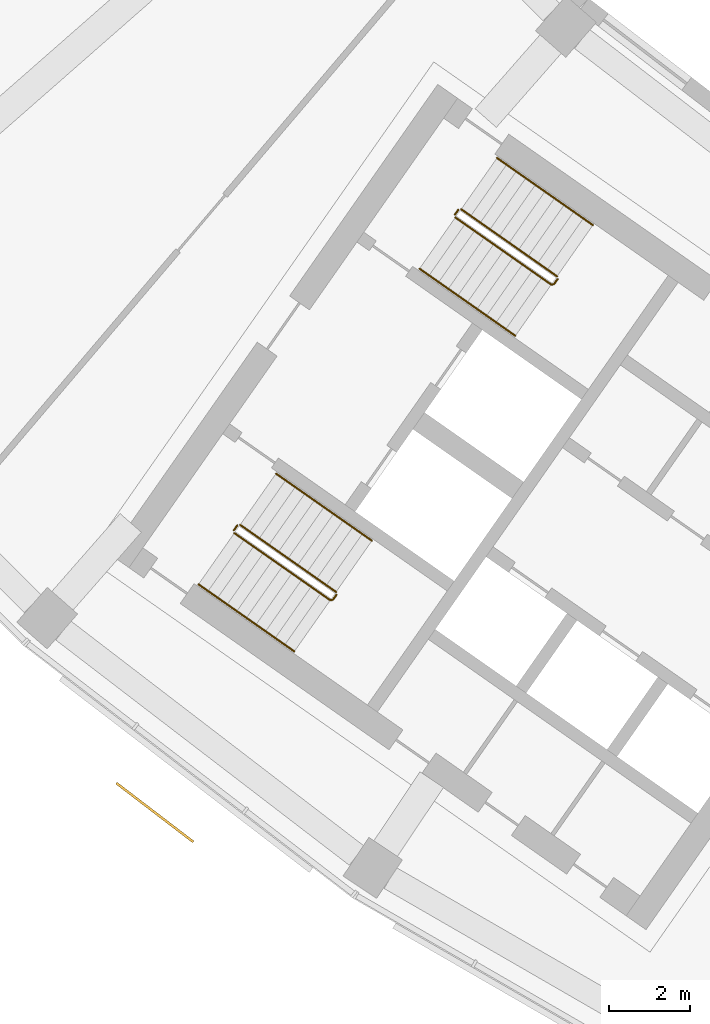
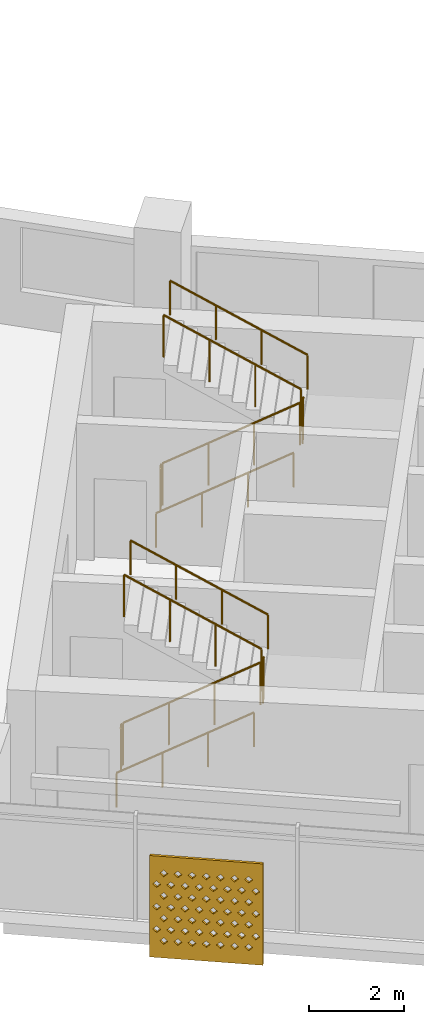
# One storey, part 24 of 29: 10 railings, 1 shading device.
"""IFC4 building model written with IfcOpenShell, lengths in metres."""

from ifc_helpers import new_model, si_unit, direction, frame, origin, origin_2d, place, context, subcontext, project, spatial, polyline, circle, outline, extrude, material, material_profile, profile_set, type_object, element, save


model = new_model("IFC4")

# Units and contexts
model_context = context("Model", 3, precision=1e-05, world=origin(), true_north=direction((0.0, 1.0)))
body_context = subcontext(model_context, "Body", "Model", "MODEL_VIEW")
ifc_project = project(units=[si_unit("LENGTHUNIT", "METRE"), si_unit("AREAUNIT", "SQUARE_METRE"), si_unit("VOLUMEUNIT", "CUBIC_METRE"), si_unit("PLANEANGLEUNIT", "RADIAN"), si_unit("MASSUNIT", "GRAM", prefix="KILO")], contexts=[model_context])

# Site, building, storey
site_placement = place(None, origin())
site = spatial("IfcSite", under=ifc_project, at=site_placement, CompositionType="ELEMENT")
building_placement = place(site_placement, origin())
building = spatial("IfcBuilding", under=site, at=building_placement, Name="Qamariyya Broadcast Tower", CompositionType="ELEMENT")
storey_placement = place(building_placement, frame((0.0, 0.0, 207.5)))
storey = spatial("IfcBuildingStorey", under=building, at=storey_placement, Name="L49", CompositionType="ELEMENT", Elevation=207.5)

# Shading device
ifc_material_1 = material(Name="Perforated glazed terracotta", Category="masonry")
ifc_material_profile = material_profile(ifc_material_1, outline(polyline([(-1.199951171875, -1.300048828125), (1.199951171875, -1.300048828125), (1.199951171875, 1.300048828125), (-1.199951171875, 1.300048828125), (-1.199951171875, -1.300048828125)]), holes=[polyline([(-0.81494140625, -0.86669921875), (-0.89990234375, -0.78173828125), (-0.985107421875, -0.86669921875), (-0.89990234375, -0.95166015625), (-0.81494140625, -0.86669921875)]), polyline([(-0.514892578125, -0.86669921875), (-0.60009765625, -0.78173828125), (-0.68505859375, -0.86669921875), (-0.60009765625, -0.95166015625), (-0.514892578125, -0.86669921875)]), polyline([(-0.215087890625, -0.86669921875), (-0.300048828125, -0.78173828125), (-0.385009765625, -0.86669921875), (-0.300048828125, -0.95166015625), (-0.215087890625, -0.86669921875)]), polyline([(0.0849609375, -0.86669921875), (0.0, -0.78173828125), (-0.0849609375, -0.86669921875), (0.0, -0.95166015625), (0.0849609375, -0.86669921875)]), polyline([(0.385009765625, -0.86669921875), (0.300048828125, -0.78173828125), (0.215087890625, -0.86669921875), (0.300048828125, -0.95166015625), (0.385009765625, -0.86669921875)]), polyline([(0.68505859375, -0.86669921875), (0.60009765625, -0.78173828125), (0.514892578125, -0.86669921875), (0.60009765625, -0.95166015625), (0.68505859375, -0.86669921875)]), polyline([(0.985107421875, -0.86669921875), (0.89990234375, -0.78173828125), (0.81494140625, -0.86669921875), (0.89990234375, -0.95166015625), (0.985107421875, -0.86669921875)]), polyline([(-0.965087890625, -0.577880859375), (-1.050048828125, -0.49267578125), (-1.135009765625, -0.577880859375), (-1.050048828125, -0.662841796875), (-0.965087890625, -0.577880859375)]), polyline([(-0.6650390625, -0.577880859375), (-0.75, -0.49267578125), (-0.8349609375, -0.577880859375), (-0.75, -0.662841796875), (-0.6650390625, -0.577880859375)]), polyline([(-0.364990234375, -0.577880859375), (-0.449951171875, -0.49267578125), (-0.534912109375, -0.577880859375), (-0.449951171875, -0.662841796875), (-0.364990234375, -0.577880859375)]), polyline([(-0.06494140625, -0.577880859375), (-0.14990234375, -0.49267578125), (-0.235107421875, -0.577880859375), (-0.14990234375, -0.662841796875), (-0.06494140625, -0.577880859375)]), polyline([(0.235107421875, -0.577880859375), (0.14990234375, -0.49267578125), (0.06494140625, -0.577880859375), (0.14990234375, -0.662841796875), (0.235107421875, -0.577880859375)]), polyline([(0.534912109375, -0.577880859375), (0.449951171875, -0.49267578125), (0.364990234375, -0.577880859375), (0.449951171875, -0.662841796875), (0.534912109375, -0.577880859375)]), polyline([(0.8349609375, -0.577880859375), (0.75, -0.49267578125), (0.6650390625, -0.577880859375), (0.75, -0.662841796875), (0.8349609375, -0.577880859375)]), polyline([(1.135009765625, -0.577880859375), (1.050048828125, -0.49267578125), (0.965087890625, -0.577880859375), (1.050048828125, -0.662841796875), (1.135009765625, -0.577880859375)]), polyline([(-0.81494140625, -0.288818359375), (-0.89990234375, -0.203857421875), (-0.985107421875, -0.288818359375), (-0.89990234375, -0.373779296875), (-0.81494140625, -0.288818359375)]), polyline([(-0.514892578125, -0.288818359375), (-0.60009765625, -0.203857421875), (-0.68505859375, -0.288818359375), (-0.60009765625, -0.373779296875), (-0.514892578125, -0.288818359375)]), polyline([(-0.215087890625, -0.288818359375), (-0.300048828125, -0.203857421875), (-0.385009765625, -0.288818359375), (-0.300048828125, -0.373779296875), (-0.215087890625, -0.288818359375)]), polyline([(0.0849609375, -0.288818359375), (0.0, -0.203857421875), (-0.0849609375, -0.288818359375), (0.0, -0.373779296875), (0.0849609375, -0.288818359375)]), polyline([(0.385009765625, -0.288818359375), (0.300048828125, -0.203857421875), (0.215087890625, -0.288818359375), (0.300048828125, -0.373779296875), (0.385009765625, -0.288818359375)]), polyline([(0.68505859375, -0.288818359375), (0.60009765625, -0.203857421875), (0.514892578125, -0.288818359375), (0.60009765625, -0.373779296875), (0.68505859375, -0.288818359375)]), polyline([(0.985107421875, -0.288818359375), (0.89990234375, -0.203857421875), (0.81494140625, -0.288818359375), (0.89990234375, -0.373779296875), (0.985107421875, -0.288818359375)]), polyline([(-0.965087890625, 0.0), (-1.050048828125, 0.0849609375), (-1.135009765625, 0.0), (-1.050048828125, -0.0849609375), (-0.965087890625, 0.0)]), polyline([(-0.6650390625, 0.0), (-0.75, 0.0849609375), (-0.8349609375, 0.0), (-0.75, -0.0849609375), (-0.6650390625, 0.0)]), polyline([(-0.364990234375, 0.0), (-0.449951171875, 0.0849609375), (-0.534912109375, 0.0), (-0.449951171875, -0.0849609375), (-0.364990234375, 0.0)]), polyline([(-0.06494140625, 0.0), (-0.14990234375, 0.0849609375), (-0.235107421875, 0.0), (-0.14990234375, -0.0849609375), (-0.06494140625, 0.0)]), polyline([(0.235107421875, 0.0), (0.14990234375, 0.0849609375), (0.06494140625, 0.0), (0.14990234375, -0.0849609375), (0.235107421875, 0.0)]), polyline([(0.534912109375, 0.0), (0.449951171875, 0.0849609375), (0.364990234375, 0.0), (0.449951171875, -0.0849609375), (0.534912109375, 0.0)]), polyline([(0.8349609375, 0.0), (0.75, 0.0849609375), (0.6650390625, 0.0), (0.75, -0.0849609375), (0.8349609375, 0.0)]), polyline([(1.135009765625, 0.0), (1.050048828125, 0.0849609375), (0.965087890625, 0.0), (1.050048828125, -0.0849609375), (1.135009765625, 0.0)]), polyline([(-0.81494140625, 0.288818359375), (-0.89990234375, 0.373779296875), (-0.985107421875, 0.288818359375), (-0.89990234375, 0.203857421875), (-0.81494140625, 0.288818359375)]), polyline([(-0.514892578125, 0.288818359375), (-0.60009765625, 0.373779296875), (-0.68505859375, 0.288818359375), (-0.60009765625, 0.203857421875), (-0.514892578125, 0.288818359375)]), polyline([(-0.215087890625, 0.288818359375), (-0.300048828125, 0.373779296875), (-0.385009765625, 0.288818359375), (-0.300048828125, 0.203857421875), (-0.215087890625, 0.288818359375)]), polyline([(0.0849609375, 0.288818359375), (0.0, 0.373779296875), (-0.0849609375, 0.288818359375), (0.0, 0.203857421875), (0.0849609375, 0.288818359375)]), polyline([(0.385009765625, 0.288818359375), (0.300048828125, 0.373779296875), (0.215087890625, 0.288818359375), (0.300048828125, 0.203857421875), (0.385009765625, 0.288818359375)]), polyline([(0.68505859375, 0.288818359375), (0.60009765625, 0.373779296875), (0.514892578125, 0.288818359375), (0.60009765625, 0.203857421875), (0.68505859375, 0.288818359375)]), polyline([(0.985107421875, 0.288818359375), (0.89990234375, 0.373779296875), (0.81494140625, 0.288818359375), (0.89990234375, 0.203857421875), (0.985107421875, 0.288818359375)]), polyline([(-0.965087890625, 0.577880859375), (-1.050048828125, 0.662841796875), (-1.135009765625, 0.577880859375), (-1.050048828125, 0.49267578125), (-0.965087890625, 0.577880859375)]), polyline([(-0.6650390625, 0.577880859375), (-0.75, 0.662841796875), (-0.8349609375, 0.577880859375), (-0.75, 0.49267578125), (-0.6650390625, 0.577880859375)]), polyline([(-0.364990234375, 0.577880859375), (-0.449951171875, 0.662841796875), (-0.534912109375, 0.577880859375), (-0.449951171875, 0.49267578125), (-0.364990234375, 0.577880859375)]), polyline([(-0.06494140625, 0.577880859375), (-0.14990234375, 0.662841796875), (-0.235107421875, 0.577880859375), (-0.14990234375, 0.49267578125), (-0.06494140625, 0.577880859375)]), polyline([(0.235107421875, 0.577880859375), (0.14990234375, 0.662841796875), (0.06494140625, 0.577880859375), (0.14990234375, 0.49267578125), (0.235107421875, 0.577880859375)]), polyline([(0.534912109375, 0.577880859375), (0.449951171875, 0.662841796875), (0.364990234375, 0.577880859375), (0.449951171875, 0.49267578125), (0.534912109375, 0.577880859375)]), polyline([(0.8349609375, 0.577880859375), (0.75, 0.662841796875), (0.6650390625, 0.577880859375), (0.75, 0.49267578125), (0.8349609375, 0.577880859375)]), polyline([(1.135009765625, 0.577880859375), (1.050048828125, 0.662841796875), (0.965087890625, 0.577880859375), (1.050048828125, 0.49267578125), (1.135009765625, 0.577880859375)]), polyline([(-0.81494140625, 0.86669921875), (-0.89990234375, 0.95166015625), (-0.985107421875, 0.86669921875), (-0.89990234375, 0.78173828125), (-0.81494140625, 0.86669921875)]), polyline([(-0.514892578125, 0.86669921875), (-0.60009765625, 0.95166015625), (-0.68505859375, 0.86669921875), (-0.60009765625, 0.78173828125), (-0.514892578125, 0.86669921875)]), polyline([(-0.215087890625, 0.86669921875), (-0.300048828125, 0.95166015625), (-0.385009765625, 0.86669921875), (-0.300048828125, 0.78173828125), (-0.215087890625, 0.86669921875)]), polyline([(0.0849609375, 0.86669921875), (0.0, 0.95166015625), (-0.0849609375, 0.86669921875), (0.0, 0.78173828125), (0.0849609375, 0.86669921875)]), polyline([(0.385009765625, 0.86669921875), (0.300048828125, 0.95166015625), (0.215087890625, 0.86669921875), (0.300048828125, 0.78173828125), (0.385009765625, 0.86669921875)]), polyline([(0.68505859375, 0.86669921875), (0.60009765625, 0.95166015625), (0.514892578125, 0.86669921875), (0.60009765625, 0.78173828125), (0.68505859375, 0.86669921875)]), polyline([(0.985107421875, 0.86669921875), (0.89990234375, 0.95166015625), (0.81494140625, 0.86669921875), (0.89990234375, 0.78173828125), (0.985107421875, 0.86669921875)])]))
ifc_profile_set = profile_set([ifc_material_profile], Name="Perforated glazed terracotta")
shading_device_type = type_object("IfcShadingDeviceType", Name="Perforated terracotta screen 2400 x 2600", PredefinedType="USERDEFINED", material=ifc_profile_set)
shading_device_placement = place(storey_placement, frame((-48.578369140625, -63.249267578125, 1.35009765625), z_axis=(-0.607147566278, -0.794589096806, 0.0), x_axis=(0.794589096806, -0.607147566278, 0.0)))
element("IfcShadingDevice", 1, at=shading_device_placement, inside=storey, type_object=shading_device_type, Name="e-scr-L49-03-1", ObjectType="SCREEN", PredefinedType="USERDEFINED", context=body_context, shape_type="SweptSolid", body=[
    extrude(outline(polyline([(-1.199951171875, -1.300048828125), (1.199951171875, -1.300048828125), (1.199951171875, 1.300048828125), (-1.199951171875, 1.300048828125), (-1.199951171875, -1.300048828125)]), holes=[polyline([(-0.81494140625, -0.86669921875), (-0.89990234375, -0.78173828125), (-0.985107421875, -0.86669921875), (-0.89990234375, -0.95166015625), (-0.81494140625, -0.86669921875)]), polyline([(-0.514892578125, -0.86669921875), (-0.60009765625, -0.78173828125), (-0.68505859375, -0.86669921875), (-0.60009765625, -0.95166015625), (-0.514892578125, -0.86669921875)]), polyline([(-0.215087890625, -0.86669921875), (-0.300048828125, -0.78173828125), (-0.385009765625, -0.86669921875), (-0.300048828125, -0.95166015625), (-0.215087890625, -0.86669921875)]), polyline([(0.0849609375, -0.86669921875), (0.0, -0.78173828125), (-0.0849609375, -0.86669921875), (0.0, -0.95166015625), (0.0849609375, -0.86669921875)]), polyline([(0.385009765625, -0.86669921875), (0.300048828125, -0.78173828125), (0.215087890625, -0.86669921875), (0.300048828125, -0.95166015625), (0.385009765625, -0.86669921875)]), polyline([(0.68505859375, -0.86669921875), (0.60009765625, -0.78173828125), (0.514892578125, -0.86669921875), (0.60009765625, -0.95166015625), (0.68505859375, -0.86669921875)]), polyline([(0.985107421875, -0.86669921875), (0.89990234375, -0.78173828125), (0.81494140625, -0.86669921875), (0.89990234375, -0.95166015625), (0.985107421875, -0.86669921875)]), polyline([(-0.965087890625, -0.577880859375), (-1.050048828125, -0.49267578125), (-1.135009765625, -0.577880859375), (-1.050048828125, -0.662841796875), (-0.965087890625, -0.577880859375)]), polyline([(-0.6650390625, -0.577880859375), (-0.75, -0.49267578125), (-0.8349609375, -0.577880859375), (-0.75, -0.662841796875), (-0.6650390625, -0.577880859375)]), polyline([(-0.364990234375, -0.577880859375), (-0.449951171875, -0.49267578125), (-0.534912109375, -0.577880859375), (-0.449951171875, -0.662841796875), (-0.364990234375, -0.577880859375)]), polyline([(-0.06494140625, -0.577880859375), (-0.14990234375, -0.49267578125), (-0.235107421875, -0.577880859375), (-0.14990234375, -0.662841796875), (-0.06494140625, -0.577880859375)]), polyline([(0.235107421875, -0.577880859375), (0.14990234375, -0.49267578125), (0.06494140625, -0.577880859375), (0.14990234375, -0.662841796875), (0.235107421875, -0.577880859375)]), polyline([(0.534912109375, -0.577880859375), (0.449951171875, -0.49267578125), (0.364990234375, -0.577880859375), (0.449951171875, -0.662841796875), (0.534912109375, -0.577880859375)]), polyline([(0.8349609375, -0.577880859375), (0.75, -0.49267578125), (0.6650390625, -0.577880859375), (0.75, -0.662841796875), (0.8349609375, -0.577880859375)]), polyline([(1.135009765625, -0.577880859375), (1.050048828125, -0.49267578125), (0.965087890625, -0.577880859375), (1.050048828125, -0.662841796875), (1.135009765625, -0.577880859375)]), polyline([(-0.81494140625, -0.288818359375), (-0.89990234375, -0.203857421875), (-0.985107421875, -0.288818359375), (-0.89990234375, -0.373779296875), (-0.81494140625, -0.288818359375)]), polyline([(-0.514892578125, -0.288818359375), (-0.60009765625, -0.203857421875), (-0.68505859375, -0.288818359375), (-0.60009765625, -0.373779296875), (-0.514892578125, -0.288818359375)]), polyline([(-0.215087890625, -0.288818359375), (-0.300048828125, -0.203857421875), (-0.385009765625, -0.288818359375), (-0.300048828125, -0.373779296875), (-0.215087890625, -0.288818359375)]), polyline([(0.0849609375, -0.288818359375), (0.0, -0.203857421875), (-0.0849609375, -0.288818359375), (0.0, -0.373779296875), (0.0849609375, -0.288818359375)]), polyline([(0.385009765625, -0.288818359375), (0.300048828125, -0.203857421875), (0.215087890625, -0.288818359375), (0.300048828125, -0.373779296875), (0.385009765625, -0.288818359375)]), polyline([(0.68505859375, -0.288818359375), (0.60009765625, -0.203857421875), (0.514892578125, -0.288818359375), (0.60009765625, -0.373779296875), (0.68505859375, -0.288818359375)]), polyline([(0.985107421875, -0.288818359375), (0.89990234375, -0.203857421875), (0.81494140625, -0.288818359375), (0.89990234375, -0.373779296875), (0.985107421875, -0.288818359375)]), polyline([(-0.965087890625, 0.0), (-1.050048828125, 0.0849609375), (-1.135009765625, 0.0), (-1.050048828125, -0.0849609375), (-0.965087890625, 0.0)]), polyline([(-0.6650390625, 0.0), (-0.75, 0.0849609375), (-0.8349609375, 0.0), (-0.75, -0.0849609375), (-0.6650390625, 0.0)]), polyline([(-0.364990234375, 0.0), (-0.449951171875, 0.0849609375), (-0.534912109375, 0.0), (-0.449951171875, -0.0849609375), (-0.364990234375, 0.0)]), polyline([(-0.06494140625, 0.0), (-0.14990234375, 0.0849609375), (-0.235107421875, 0.0), (-0.14990234375, -0.0849609375), (-0.06494140625, 0.0)]), polyline([(0.235107421875, 0.0), (0.14990234375, 0.0849609375), (0.06494140625, 0.0), (0.14990234375, -0.0849609375), (0.235107421875, 0.0)]), polyline([(0.534912109375, 0.0), (0.449951171875, 0.0849609375), (0.364990234375, 0.0), (0.449951171875, -0.0849609375), (0.534912109375, 0.0)]), polyline([(0.8349609375, 0.0), (0.75, 0.0849609375), (0.6650390625, 0.0), (0.75, -0.0849609375), (0.8349609375, 0.0)]), polyline([(1.135009765625, 0.0), (1.050048828125, 0.0849609375), (0.965087890625, 0.0), (1.050048828125, -0.0849609375), (1.135009765625, 0.0)]), polyline([(-0.81494140625, 0.288818359375), (-0.89990234375, 0.373779296875), (-0.985107421875, 0.288818359375), (-0.89990234375, 0.203857421875), (-0.81494140625, 0.288818359375)]), polyline([(-0.514892578125, 0.288818359375), (-0.60009765625, 0.373779296875), (-0.68505859375, 0.288818359375), (-0.60009765625, 0.203857421875), (-0.514892578125, 0.288818359375)]), polyline([(-0.215087890625, 0.288818359375), (-0.300048828125, 0.373779296875), (-0.385009765625, 0.288818359375), (-0.300048828125, 0.203857421875), (-0.215087890625, 0.288818359375)]), polyline([(0.0849609375, 0.288818359375), (0.0, 0.373779296875), (-0.0849609375, 0.288818359375), (0.0, 0.203857421875), (0.0849609375, 0.288818359375)]), polyline([(0.385009765625, 0.288818359375), (0.300048828125, 0.373779296875), (0.215087890625, 0.288818359375), (0.300048828125, 0.203857421875), (0.385009765625, 0.288818359375)]), polyline([(0.68505859375, 0.288818359375), (0.60009765625, 0.373779296875), (0.514892578125, 0.288818359375), (0.60009765625, 0.203857421875), (0.68505859375, 0.288818359375)]), polyline([(0.985107421875, 0.288818359375), (0.89990234375, 0.373779296875), (0.81494140625, 0.288818359375), (0.89990234375, 0.203857421875), (0.985107421875, 0.288818359375)]), polyline([(-0.965087890625, 0.577880859375), (-1.050048828125, 0.662841796875), (-1.135009765625, 0.577880859375), (-1.050048828125, 0.49267578125), (-0.965087890625, 0.577880859375)]), polyline([(-0.6650390625, 0.577880859375), (-0.75, 0.662841796875), (-0.8349609375, 0.577880859375), (-0.75, 0.49267578125), (-0.6650390625, 0.577880859375)]), polyline([(-0.364990234375, 0.577880859375), (-0.449951171875, 0.662841796875), (-0.534912109375, 0.577880859375), (-0.449951171875, 0.49267578125), (-0.364990234375, 0.577880859375)]), polyline([(-0.06494140625, 0.577880859375), (-0.14990234375, 0.662841796875), (-0.235107421875, 0.577880859375), (-0.14990234375, 0.49267578125), (-0.06494140625, 0.577880859375)]), polyline([(0.235107421875, 0.577880859375), (0.14990234375, 0.662841796875), (0.06494140625, 0.577880859375), (0.14990234375, 0.49267578125), (0.235107421875, 0.577880859375)]), polyline([(0.534912109375, 0.577880859375), (0.449951171875, 0.662841796875), (0.364990234375, 0.577880859375), (0.449951171875, 0.49267578125), (0.534912109375, 0.577880859375)]), polyline([(0.8349609375, 0.577880859375), (0.75, 0.662841796875), (0.6650390625, 0.577880859375), (0.75, 0.49267578125), (0.8349609375, 0.577880859375)]), polyline([(1.135009765625, 0.577880859375), (1.050048828125, 0.662841796875), (0.965087890625, 0.577880859375), (1.050048828125, 0.49267578125), (1.135009765625, 0.577880859375)]), polyline([(-0.81494140625, 0.86669921875), (-0.89990234375, 0.95166015625), (-0.985107421875, 0.86669921875), (-0.89990234375, 0.78173828125), (-0.81494140625, 0.86669921875)]), polyline([(-0.514892578125, 0.86669921875), (-0.60009765625, 0.95166015625), (-0.68505859375, 0.86669921875), (-0.60009765625, 0.78173828125), (-0.514892578125, 0.86669921875)]), polyline([(-0.215087890625, 0.86669921875), (-0.300048828125, 0.95166015625), (-0.385009765625, 0.86669921875), (-0.300048828125, 0.78173828125), (-0.215087890625, 0.86669921875)]), polyline([(0.0849609375, 0.86669921875), (0.0, 0.95166015625), (-0.0849609375, 0.86669921875), (0.0, 0.78173828125), (0.0849609375, 0.86669921875)]), polyline([(0.385009765625, 0.86669921875), (0.300048828125, 0.95166015625), (0.215087890625, 0.86669921875), (0.300048828125, 0.78173828125), (0.385009765625, 0.86669921875)]), polyline([(0.68505859375, 0.86669921875), (0.60009765625, 0.95166015625), (0.514892578125, 0.86669921875), (0.60009765625, 0.78173828125), (0.68505859375, 0.86669921875)]), polyline([(0.985107421875, 0.86669921875), (0.89990234375, 0.95166015625), (0.81494140625, 0.86669921875), (0.89990234375, 0.78173828125), (0.985107421875, 0.86669921875)])]), origin(), (0.0, 0.0, 1.0), 0.059814453125),
])

# Railings
ifc_material_2 = material(Name="Painted steel", Category="steel")
railing_type_1 = type_object("IfcRailingType", Name="Stair guard", PredefinedType="GUARDRAIL", material=ifc_material_2)
railing_1_placement = place(storey_placement, frame((-41.146728515625, -48.52490234375, 0.172607421875)))
element("IfcRailing", 2, at=railing_1_placement, inside=storey, type_object=railing_type_1, Name="L49 ST-W2 stair guard 1", PredefinedType="GUARDRAIL", context=body_context, shape_type="SweptSolid", body=[
    extrude(circle(Radius=0.02392578125, at=origin_2d()), frame((0.0, 0.0, 1.076171875), z_axis=(0.703770094002, -0.492783725636, 0.511734163933), x_axis=(0.573575343427, 0.819152809562, 0.0)), (0.0, 0.0, 1.0), 3.37548828125),
    extrude(circle(Radius=0.02392578125, at=origin_2d()), frame((2.37548828125, -1.663330078125, 2.80322265625), z_axis=(0.985059694769, 0.172213233351, 0.0), x_axis=(-0.172213233351, 0.985059694769, 0.0)), (0.0, 0.0, 1.0), 0.07080078125),
    extrude(circle(Radius=0.02392578125, at=origin_2d()), frame((2.4453125, -1.651123046875, 2.80322265625), z_axis=(0.572588637393, 0.819842821722, 0.0), x_axis=(-0.819842821722, 0.572588637393, 0.0)), (0.0, 0.0, 1.0), 0.150146484375),
    extrude(circle(Radius=0.02099609375, at=origin_2d()), origin(), (0.0, 0.0, 1.0), 1.052001953125),
    extrude(circle(Radius=0.02099609375, at=origin_2d()), frame((0.791748046875, -0.554443359375, 0.57568359375)), (0.0, 0.0, 1.0), 1.052001953125),
    extrude(circle(Radius=0.02099609375, at=origin_2d()), frame((1.583740234375, -1.10888671875, 1.151611328125)), (0.0, 0.0, 1.0), 1.052001953125),
    extrude(circle(Radius=0.02099609375, at=origin_2d()), frame((2.37548828125, -1.663330078125, 1.727294921875)), (0.0, 0.0, 1.0), 1.052001953125),
    extrude(circle(Radius=0.02099609375, at=origin_2d()), frame((2.4453125, -1.651123046875, 1.727294921875)), (0.0, 0.0, 1.0), 1.052001953125),
    extrude(circle(Radius=0.02099609375, at=origin_2d()), frame((2.53125, -1.528076171875, 1.727294921875)), (0.0, 0.0, 1.0), 1.052001953125),
])
railing_2_placement = place(storey_placement, frame((-38.627685546875, -49.9833984375, 2.07275390625)))
element("IfcRailing", 3, at=railing_2_placement, inside=storey, type_object=railing_type_1, Name="L49 ST-W2 stair guard 2", PredefinedType="GUARDRAIL", context=body_context, shape_type="SweptSolid", body=[
    extrude(circle(Radius=0.02392578125, at=origin_2d()), frame((0.0, 0.0, 1.076171875), z_axis=(-0.703770094002, 0.492783725636, 0.511734163933), x_axis=(-0.573575343427, -0.819152809562, 0.0)), (0.0, 0.0, 1.0), 3.37548828125),
    extrude(circle(Radius=0.02099609375, at=origin_2d()), origin(), (0.0, 0.0, 1.0), 1.052001953125),
    extrude(circle(Radius=0.02099609375, at=origin_2d()), frame((-0.791748046875, 0.554443359375, 0.57568359375)), (0.0, 0.0, 1.0), 1.052001953125),
    extrude(circle(Radius=0.02099609375, at=origin_2d()), frame((-1.583740234375, 1.10888671875, 1.151611328125)), (0.0, 0.0, 1.0), 1.052001953125),
    extrude(circle(Radius=0.02099609375, at=origin_2d()), frame((-2.37548828125, 1.663330078125, 1.727294921875)), (0.0, 0.0, 1.0), 1.052001953125),
])
railing_3_placement = place(storey_placement, frame((-41.158935546875, -48.455322265625, 0.0)))
element("IfcRailing", 4, at=railing_3_placement, inside=storey, type_object=railing_type_1, Name="L49 ST-W2 stair guard 3", PredefinedType="GUARDRAIL", context=body_context, shape_type="SweptSolid", body=[
    extrude(circle(Radius=0.02392578125, at=origin_2d()), frame((0.0, 0.0, 1.076171875), z_axis=(0.572588637393, 0.819842821722, 0.0), x_axis=(-0.819842821722, 0.572588637393, 0.0)), (0.0, 0.0, 1.0), 0.150146484375),
    extrude(circle(Radius=0.02099609375, at=origin_2d()), origin(), (0.0, 0.0, 1.0), 1.052001953125),
    extrude(circle(Radius=0.02099609375, at=origin_2d()), frame((0.0859375, 0.123046875, 0.0)), (0.0, 0.0, 1.0), 1.052001953125),
])
railing_4_placement = place(storey_placement, frame((-46.624267578125, -56.34765625, 0.172607421875)))
element("IfcRailing", 5, at=railing_4_placement, inside=storey, type_object=railing_type_1, Name="L49 ST-W1 stair guard 1", PredefinedType="GUARDRAIL", context=body_context, shape_type="SweptSolid", body=[
    extrude(circle(Radius=0.02392578125, at=origin_2d()), frame((0.0, 0.0, 1.076171875), z_axis=(0.703745009021, -0.492838488332, 0.511715923826), x_axis=(0.573631830683, 0.819113253969, 0.0)), (0.0, 0.0, 1.0), 3.37548828125),
    extrude(circle(Radius=0.02392578125, at=origin_2d()), frame((2.37548828125, -1.66357421875, 2.80322265625), z_axis=(0.984363469884, 0.176149252506, 0.0), x_axis=(-0.176149252506, 0.984363469884, 0.0)), (0.0, 0.0, 1.0), 0.07080078125),
    extrude(circle(Radius=0.02392578125, at=origin_2d()), frame((2.445068359375, -1.651123046875, 2.80322265625), z_axis=(0.574444878118, 0.818543268254, 0.0), x_axis=(-0.818543268254, 0.574444878118, 0.0)), (0.0, 0.0, 1.0), 0.150146484375),
    extrude(circle(Radius=0.02099609375, at=origin_2d()), origin(), (0.0, 0.0, 1.0), 1.052001953125),
    extrude(circle(Radius=0.02099609375, at=origin_2d()), frame((0.791748046875, -0.554443359375, 0.57568359375)), (0.0, 0.0, 1.0), 1.052001953125),
    extrude(circle(Radius=0.02099609375, at=origin_2d()), frame((1.583740234375, -1.109130859375, 1.151611328125)), (0.0, 0.0, 1.0), 1.052001953125),
    extrude(circle(Radius=0.02099609375, at=origin_2d()), frame((2.37548828125, -1.66357421875, 1.727294921875)), (0.0, 0.0, 1.0), 1.052001953125),
    extrude(circle(Radius=0.02099609375, at=origin_2d()), frame((2.445068359375, -1.651123046875, 1.727294921875)), (0.0, 0.0, 1.0), 1.052001953125),
    extrude(circle(Radius=0.02099609375, at=origin_2d()), frame((2.53125, -1.5283203125, 1.727294921875)), (0.0, 0.0, 1.0), 1.052001953125),
])
railing_5_placement = place(storey_placement, frame((-44.10546875, -57.806396484375, 2.07275390625)))
element("IfcRailing", 6, at=railing_5_placement, inside=storey, type_object=railing_type_1, Name="L49 ST-W1 stair guard 2", PredefinedType="GUARDRAIL", context=body_context, shape_type="SweptSolid", body=[
    extrude(circle(Radius=0.02392578125, at=origin_2d()), frame((0.0, 0.0, 1.076171875), z_axis=(-0.703770094002, 0.492783725636, 0.511734163933), x_axis=(-0.573575343427, -0.819152809562, 0.0)), (0.0, 0.0, 1.0), 3.37548828125),
    extrude(circle(Radius=0.02099609375, at=origin_2d()), origin(), (0.0, 0.0, 1.0), 1.052001953125),
    extrude(circle(Radius=0.02099609375, at=origin_2d()), frame((-0.791748046875, 0.554443359375, 0.57568359375)), (0.0, 0.0, 1.0), 1.052001953125),
    extrude(circle(Radius=0.02099609375, at=origin_2d()), frame((-1.583740234375, 1.10888671875, 1.151611328125)), (0.0, 0.0, 1.0), 1.052001953125),
    extrude(circle(Radius=0.02099609375, at=origin_2d()), frame((-2.37548828125, 1.663330078125, 1.727294921875)), (0.0, 0.0, 1.0), 1.052001953125),
])
railing_6_placement = place(storey_placement, frame((-46.63671875, -56.278076171875, 0.0)))
element("IfcRailing", 7, at=railing_6_placement, inside=storey, type_object=railing_type_1, Name="L49 ST-W1 stair guard 3", PredefinedType="GUARDRAIL", context=body_context, shape_type="SweptSolid", body=[
    extrude(circle(Radius=0.02392578125, at=origin_2d()), frame((0.0, 0.0, 1.076171875), z_axis=(0.574444878118, 0.818543268254, 0.0), x_axis=(-0.818543268254, 0.574444878118, 0.0)), (0.0, 0.0, 1.0), 0.150146484375),
    extrude(circle(Radius=0.02099609375, at=origin_2d()), origin(), (0.0, 0.0, 1.0), 1.052001953125),
    extrude(circle(Radius=0.02099609375, at=origin_2d()), frame((0.086181640625, 0.122802734375, 0.0)), (0.0, 0.0, 1.0), 1.052001953125),
])
ifc_material_3 = material(Name="Stainless steel", Category="steel")
railing_type_2 = type_object("IfcRailingType", Name="Stair handrail", PredefinedType="HANDRAIL", material=ifc_material_3)
railing_7_placement = place(storey_placement, frame((-42.03564453125, -49.79443359375, 0.172607421875)))
element("IfcRailing", 8, at=railing_7_placement, inside=storey, type_object=railing_type_2, Name="L49 ST-W2 stair handrail 1", PredefinedType="HANDRAIL", context=body_context, shape_type="SweptSolid", body=[
    extrude(circle(Radius=0.02392578125, at=origin_2d()), frame((0.0, 0.0, 0.8759765625), z_axis=(0.703745009021, -0.492838488332, 0.511715923826), x_axis=(0.573631830683, 0.819113253969, 0.0)), (0.0, 0.0, 1.0), 3.37548828125),
    extrude(circle(Radius=0.02099609375, at=origin_2d()), origin(), (0.0, 0.0, 1.0), 0.851806640625),
    extrude(circle(Radius=0.02099609375, at=origin_2d()), frame((0.791748046875, -0.554443359375, 0.57568359375)), (0.0, 0.0, 1.0), 0.851806640625),
    extrude(circle(Radius=0.02099609375, at=origin_2d()), frame((1.583740234375, -1.109130859375, 1.151611328125)), (0.0, 0.0, 1.0), 0.851806640625),
    extrude(circle(Radius=0.02099609375, at=origin_2d()), frame((2.37548828125, -1.66357421875, 1.727294921875)), (0.0, 0.0, 1.0), 0.851806640625),
])
railing_8_placement = place(storey_placement, frame((-37.73876953125, -48.7138671875, 2.07275390625)))
element("IfcRailing", 9, at=railing_8_placement, inside=storey, type_object=railing_type_2, Name="L49 ST-W2 stair handrail 2", PredefinedType="HANDRAIL", context=body_context, shape_type="SweptSolid", body=[
    extrude(circle(Radius=0.02392578125, at=origin_2d()), frame((0.0, 0.0, 0.8759765625), z_axis=(-0.703745009021, 0.492838488332, 0.511715923826), x_axis=(-0.573631830683, -0.819113253969, 0.0)), (0.0, 0.0, 1.0), 3.37548828125),
    extrude(circle(Radius=0.02099609375, at=origin_2d()), origin(), (0.0, 0.0, 1.0), 0.851806640625),
    extrude(circle(Radius=0.02099609375, at=origin_2d()), frame((-0.791748046875, 0.554443359375, 0.57568359375)), (0.0, 0.0, 1.0), 0.851806640625),
    extrude(circle(Radius=0.02099609375, at=origin_2d()), frame((-1.583740234375, 1.109130859375, 1.151611328125)), (0.0, 0.0, 1.0), 0.851806640625),
    extrude(circle(Radius=0.02099609375, at=origin_2d()), frame((-2.37548828125, 1.66357421875, 1.727294921875)), (0.0, 0.0, 1.0), 0.851806640625),
])
railing_9_placement = place(storey_placement, frame((-47.513427734375, -57.617431640625, 0.172607421875)))
element("IfcRailing", 10, at=railing_9_placement, inside=storey, type_object=railing_type_2, Name="L49 ST-W1 stair handrail 1", PredefinedType="HANDRAIL", context=body_context, shape_type="SweptSolid", body=[
    extrude(circle(Radius=0.02392578125, at=origin_2d()), frame((0.0, 0.0, 0.8759765625), z_axis=(0.703770094002, -0.492783725636, 0.511734163933), x_axis=(0.573575343427, 0.819152809562, 0.0)), (0.0, 0.0, 1.0), 3.37548828125),
    extrude(circle(Radius=0.02099609375, at=origin_2d()), origin(), (0.0, 0.0, 1.0), 0.851806640625),
    extrude(circle(Radius=0.02099609375, at=origin_2d()), frame((0.791748046875, -0.554443359375, 0.57568359375)), (0.0, 0.0, 1.0), 0.851806640625),
    extrude(circle(Radius=0.02099609375, at=origin_2d()), frame((1.583740234375, -1.10888671875, 1.151611328125)), (0.0, 0.0, 1.0), 0.851806640625),
    extrude(circle(Radius=0.02099609375, at=origin_2d()), frame((2.37548828125, -1.663330078125, 1.727294921875)), (0.0, 0.0, 1.0), 0.851806640625),
])
railing_10_placement = place(storey_placement, frame((-43.21630859375, -56.53662109375, 2.07275390625)))
element("IfcRailing", 11, at=railing_10_placement, inside=storey, type_object=railing_type_2, Name="L49 ST-W1 stair handrail 2", PredefinedType="HANDRAIL", context=body_context, shape_type="SweptSolid", body=[
    extrude(circle(Radius=0.02392578125, at=origin_2d()), frame((0.0, 0.0, 0.8759765625), z_axis=(-0.703770094002, 0.492783725636, 0.511734163933), x_axis=(-0.573575343427, -0.819152809562, 0.0)), (0.0, 0.0, 1.0), 3.37548828125),
    extrude(circle(Radius=0.02099609375, at=origin_2d()), origin(), (0.0, 0.0, 1.0), 0.851806640625),
    extrude(circle(Radius=0.02099609375, at=origin_2d()), frame((-0.791748046875, 0.554443359375, 0.57568359375)), (0.0, 0.0, 1.0), 0.851806640625),
    extrude(circle(Radius=0.02099609375, at=origin_2d()), frame((-1.583740234375, 1.10888671875, 1.151611328125)), (0.0, 0.0, 1.0), 0.851806640625),
    extrude(circle(Radius=0.02099609375, at=origin_2d()), frame((-2.37548828125, 1.663330078125, 1.727294921875)), (0.0, 0.0, 1.0), 0.851806640625),
])

save(model, "model.ifc")
